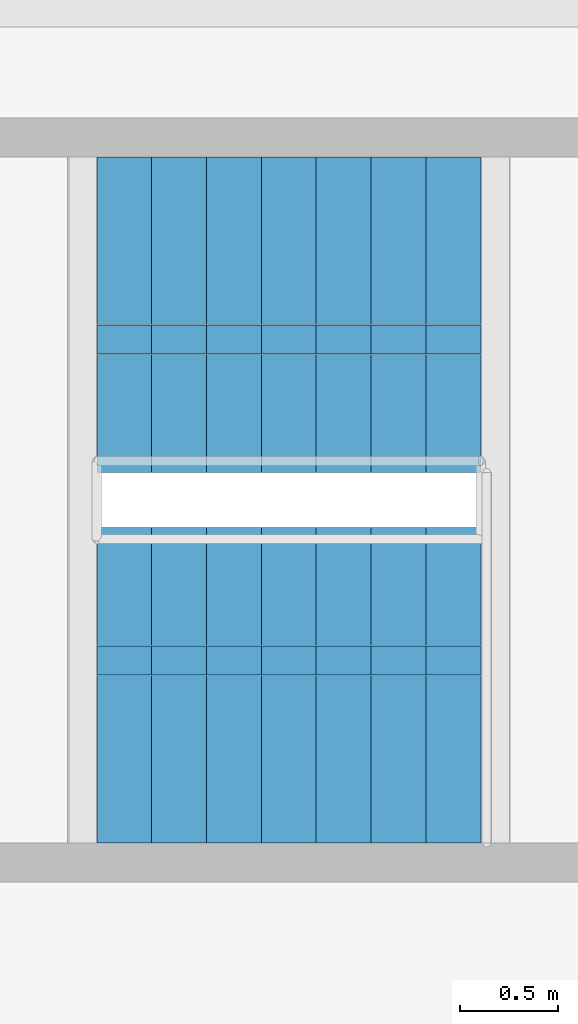
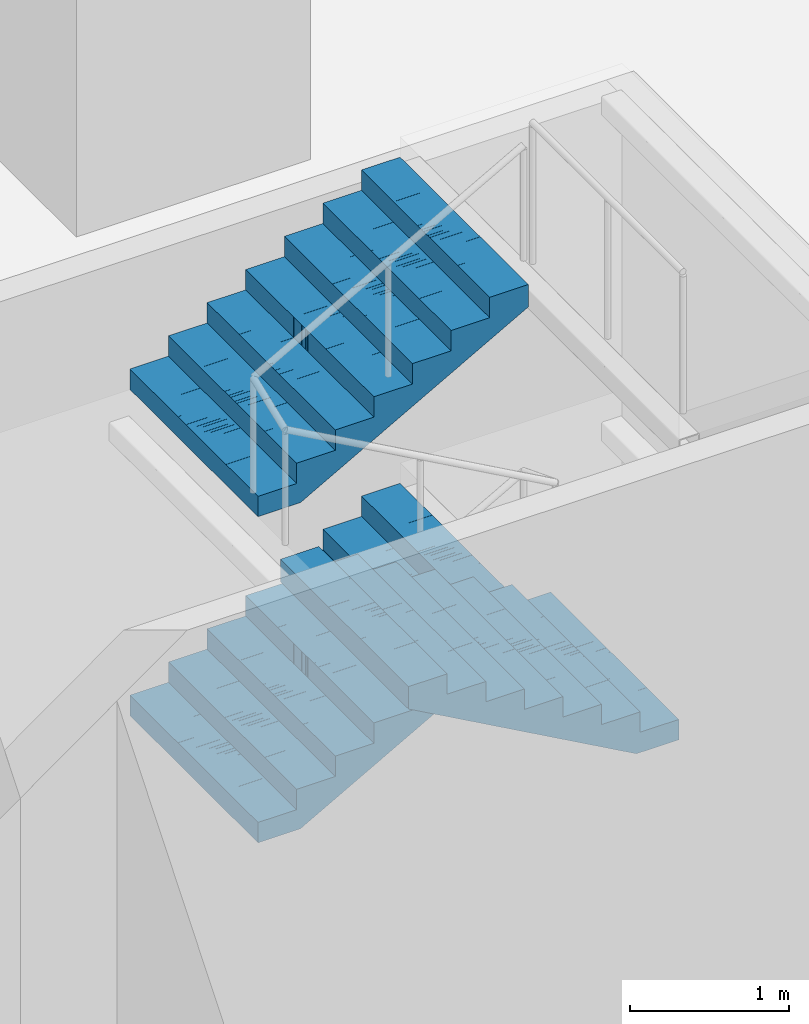
# One storey, part 22 of 23: 3 stair flights, 1 element without a shape of its own.
"""IFC4 building model written with IfcOpenShell, lengths in metres."""

from ifc_helpers import new_model, si_unit, direction, frame, origin, place, context, subcontext, project, spatial, polyline, outline, extrude, material, type_object, element, aggregate, save


model = new_model("IFC4")

# Units and contexts
model_context = context("Model", 3, precision=1e-05, world=origin(), true_north=direction((0.0, 1.0)))
body_context = subcontext(model_context, "Body", "Model", "MODEL_VIEW")
ifc_project = project(units=[si_unit("LENGTHUNIT", "METRE"), si_unit("AREAUNIT", "SQUARE_METRE"), si_unit("VOLUMEUNIT", "CUBIC_METRE"), si_unit("PLANEANGLEUNIT", "RADIAN"), si_unit("MASSUNIT", "GRAM", prefix="KILO")], contexts=[model_context])

# Site, building, storey
site_placement = place(None, origin())
site = spatial("IfcSite", under=ifc_project, at=site_placement, CompositionType="ELEMENT")
building_placement = place(site_placement, origin())
building = spatial("IfcBuilding", under=site, at=building_placement, Name="Mizan Broadcast Tower", CompositionType="ELEMENT")
storey_placement = place(building_placement, frame((0.0, 0.0, 28.0)))
storey = spatial("IfcBuildingStorey", under=building, at=storey_placement, Name="L04", CompositionType="ELEMENT", Elevation=28.0)

# Stair, stair flights
ifc_material_1 = material(Name="Concrete C40/50", Category="concrete")
stair_type = type_object("IfcStairType", Name="EXIT STAIR", PredefinedType="HALF_TURN_STAIR", material=ifc_material_1)
stair_placement = place(storey_placement, origin())
stair = element("IfcStair", 1, at=stair_placement, inside=storey, type_object=stair_type, Name="Stair C L04", PredefinedType="HALF_TURN_STAIR")
ifc_material_2 = material(Name="Concrete C40/50", Category="concrete")
stair_flight_type = type_object("IfcStairFlightType", Name="EXIT STAIR FLIGHT", PredefinedType="STRAIGHT", material=ifc_material_2)
stair_flight_1_placement = place(storey_placement, frame((22.929931640625, 4.094970703125, 1.25), z_axis=(0.0, 0.0, 1.0), x_axis=(1.0, 0.0, 0.0)))
stair_flight_1 = element("IfcStairFlight", 2, at=stair_flight_1_placement, type_object=stair_flight_type, Name="C flight 2", NumberOfRisers=8, NumberOfTreads=7, PredefinedType="STRAIGHT", RiserHeight=0.15625, TreadLength=0.28, context=body_context, shape_type="SweptSolid", body=[
    extrude(outline(polyline([(0.0, 0.0), (0.0, 0.15625), (0.280029296875, 0.15625), (0.280029296875, 0.3125), (0.56005859375, 0.3125), (0.56005859375, 0.46875), (0.840087890625, 0.46875), (0.840087890625, 0.625), (1.1201171875, 0.625), (1.1201171875, 0.78125), (1.39990234375, 0.78125), (1.39990234375, 0.9375), (1.679931640625, 0.9375), (1.679931640625, 1.09375), (1.9599609375, 1.09375), (1.9599609375, 1.25), (1.9599609375, 0.922119140625), (0.3076171875, 0.0), (0.0, 0.0)])), frame((0.0, 0.80517578125, 0.0), z_axis=(0.0, -1.0, 0.0), x_axis=(1.0, 0.0, 0.0)), (0.0, 0.0, 1.0), 0.40234375),
    extrude(outline(polyline([(0.0, 0.0), (0.0, 0.15625), (0.280029296875, 0.15625), (0.280029296875, 0.3125), (0.56005859375, 0.3125), (0.56005859375, 0.46875), (0.840087890625, 0.46875), (0.840087890625, 0.625), (1.1201171875, 0.625), (1.1201171875, 0.78125), (1.39990234375, 0.78125), (1.39990234375, 0.9375), (1.679931640625, 0.9375), (1.679931640625, 1.09375), (1.9599609375, 1.09375), (1.9599609375, 1.25), (1.9599609375, 0.922119140625), (0.3076171875, 0.0), (0.0, 0.0)])), frame((0.0, 0.40234375, 0.0), z_axis=(0.0, -1.0, 0.0), x_axis=(1.0, 0.0, 0.0)), (0.0, 0.0, 1.0), 0.20068359375),
    extrude(outline(polyline([(0.0, 0.0), (0.0, 0.15625), (0.280029296875, 0.15625), (0.280029296875, 0.3125), (0.56005859375, 0.3125), (0.56005859375, 0.46875), (0.840087890625, 0.46875), (0.840087890625, 0.625), (1.1201171875, 0.625), (1.1201171875, 0.78125), (1.39990234375, 0.78125), (1.39990234375, 0.9375), (1.679931640625, 0.9375), (1.679931640625, 1.09375), (1.9599609375, 1.09375), (1.9599609375, 1.25), (1.9599609375, 0.922119140625), (0.3076171875, 0.0), (0.0, 0.0)])), frame((0.0, 0.201171875, 0.0), z_axis=(0.0, -1.0, 0.0), x_axis=(1.0, 0.0, 0.0)), (0.0, 0.0, 1.0), 0.10009765625),
    extrude(outline(polyline([(0.0, 0.0), (0.0, 0.15625), (0.280029296875, 0.15625), (0.280029296875, 0.3125), (0.56005859375, 0.3125), (0.56005859375, 0.46875), (0.840087890625, 0.46875), (0.840087890625, 0.625), (1.1201171875, 0.625), (1.1201171875, 0.78125), (1.39990234375, 0.78125), (1.39990234375, 0.9375), (1.679931640625, 0.9375), (1.679931640625, 1.09375), (1.9599609375, 1.09375), (1.9599609375, 1.25), (1.9599609375, 0.922119140625), (0.3076171875, 0.0), (0.0, 0.0)])), frame((0.0, 0.1005859375, 0.0), z_axis=(0.0, -1.0, 0.0), x_axis=(1.0, 0.0, 0.0)), (0.0, 0.0, 1.0), 0.0498046875),
    extrude(outline(polyline([(0.0, 0.0), (0.0, 0.15625), (0.280029296875, 0.15625), (0.280029296875, 0.3125), (0.56005859375, 0.3125), (0.56005859375, 0.46875), (0.840087890625, 0.46875), (0.840087890625, 0.625), (1.1201171875, 0.625), (1.1201171875, 0.78125), (1.39990234375, 0.78125), (1.39990234375, 0.9375), (1.679931640625, 0.9375), (1.679931640625, 1.09375), (1.9599609375, 1.09375), (1.9599609375, 1.25), (1.9599609375, 0.922119140625), (0.3076171875, 0.0), (0.0, 0.0)])), frame((0.0, 0.05029296875, 0.0), z_axis=(0.0, -1.0, 0.0), x_axis=(1.0, 0.0, 0.0)), (0.0, 0.0, 1.0), 0.024658203125),
    extrude(outline(polyline([(0.0, 0.0), (0.0, 0.15625), (0.280029296875, 0.15625), (0.280029296875, 0.3125), (0.56005859375, 0.3125), (0.56005859375, 0.46875), (0.840087890625, 0.46875), (0.840087890625, 0.625), (1.1201171875, 0.625), (1.1201171875, 0.78125), (1.39990234375, 0.78125), (1.39990234375, 0.9375), (1.679931640625, 0.9375), (1.679931640625, 1.09375), (1.9599609375, 1.09375), (1.9599609375, 1.25), (1.9599609375, 0.922119140625), (0.3076171875, 0.0), (0.0, 0.0)])), frame((0.0, 0.025146484375, 0.0), z_axis=(0.0, -1.0, 0.0), x_axis=(1.0, 0.0, 0.0)), (0.0, 0.0, 1.0), 0.050048828125),
    extrude(outline(polyline([(0.0, 0.0), (0.0, 0.15625), (0.280029296875, 0.15625), (0.280029296875, 0.3125), (0.56005859375, 0.3125), (0.56005859375, 0.46875), (0.840087890625, 0.46875), (0.840087890625, 0.625), (1.1201171875, 0.625), (1.1201171875, 0.78125), (1.39990234375, 0.78125), (1.39990234375, 0.9375), (1.679931640625, 0.9375), (1.679931640625, 1.09375), (1.9599609375, 1.09375), (1.9599609375, 1.25), (1.9599609375, 0.922119140625), (0.3076171875, 0.0), (0.0, 0.0)])), frame((0.0, -0.025390625, 0.0), z_axis=(0.0, -1.0, 0.0), x_axis=(1.0, 0.0, 0.0)), (0.0, 0.0, 1.0), 0.024658203125),
    extrude(outline(polyline([(0.0, 0.0), (0.0, 0.15625), (0.280029296875, 0.15625), (0.280029296875, 0.3125), (0.56005859375, 0.3125), (0.56005859375, 0.46875), (0.840087890625, 0.46875), (0.840087890625, 0.625), (1.1201171875, 0.625), (1.1201171875, 0.78125), (1.39990234375, 0.78125), (1.39990234375, 0.9375), (1.679931640625, 0.9375), (1.679931640625, 1.09375), (1.9599609375, 1.09375), (1.9599609375, 1.25), (1.9599609375, 0.922119140625), (0.3076171875, 0.0), (0.0, 0.0)])), frame((0.0, -0.050537109375, 0.0), z_axis=(0.0, -1.0, 0.0), x_axis=(1.0, 0.0, 0.0)), (0.0, 0.0, 1.0), 0.0498046875),
    extrude(outline(polyline([(0.0, 0.0), (0.0, 0.15625), (0.280029296875, 0.15625), (0.280029296875, 0.3125), (0.56005859375, 0.3125), (0.56005859375, 0.46875), (0.840087890625, 0.46875), (0.840087890625, 0.625), (1.1201171875, 0.625), (1.1201171875, 0.78125), (1.39990234375, 0.78125), (1.39990234375, 0.9375), (1.679931640625, 0.9375), (1.679931640625, 1.09375), (1.9599609375, 1.09375), (1.9599609375, 1.25), (1.9599609375, 0.922119140625), (0.3076171875, 0.0), (0.0, 0.0)])), frame((0.0, -0.100830078125, 0.0), z_axis=(0.0, -1.0, 0.0), x_axis=(1.0, 0.0, 0.0)), (0.0, 0.0, 1.0), 0.10009765625),
    extrude(outline(polyline([(0.0, 0.0), (0.0, 0.15625), (0.280029296875, 0.15625), (0.280029296875, 0.3125), (0.56005859375, 0.3125), (0.56005859375, 0.46875), (0.840087890625, 0.46875), (0.840087890625, 0.625), (1.1201171875, 0.625), (1.1201171875, 0.78125), (1.39990234375, 0.78125), (1.39990234375, 0.9375), (1.679931640625, 0.9375), (1.679931640625, 1.09375), (1.9599609375, 1.09375), (1.9599609375, 1.25), (1.9599609375, 0.922119140625), (0.3076171875, 0.0), (0.0, 0.0)])), frame((0.0, -0.201416015625, 0.0), z_axis=(0.0, -1.0, 0.0), x_axis=(1.0, 0.0, 0.0)), (0.0, 0.0, 1.0), 0.20068359375),
    extrude(outline(polyline([(0.0, 0.0), (0.0, 0.15625), (0.280029296875, 0.15625), (0.280029296875, 0.3125), (0.56005859375, 0.3125), (0.56005859375, 0.46875), (0.840087890625, 0.46875), (0.840087890625, 0.625), (1.1201171875, 0.625), (1.1201171875, 0.78125), (1.39990234375, 0.78125), (1.39990234375, 0.9375), (1.679931640625, 0.9375), (1.679931640625, 1.09375), (1.9599609375, 1.09375), (1.9599609375, 1.25), (1.9599609375, 0.922119140625), (0.3076171875, 0.0), (0.0, 0.0)])), frame((0.0, -0.402587890625, 0.0), z_axis=(0.0, -1.0, 0.0), x_axis=(1.0, 0.0, 0.0)), (0.0, 0.0, 1.0), 0.40234375),
])
stair_flight_2_placement = place(storey_placement, frame((24.889892578125, 2.205078125, 2.5), z_axis=(0.0, 0.0, 1.0), x_axis=(-1.0, 0.0, 0.0)))
stair_flight_2 = element("IfcStairFlight", 3, at=stair_flight_2_placement, type_object=stair_flight_type, Name="C flight 3", NumberOfRisers=8, NumberOfTreads=7, PredefinedType="STRAIGHT", RiserHeight=0.15625, TreadLength=0.28, context=body_context, shape_type="SweptSolid", body=[
    extrude(outline(polyline([(0.0, 0.0), (0.0, 0.15625), (0.280029296875, 0.15625), (0.280029296875, 0.3125), (0.56005859375, 0.3125), (0.56005859375, 0.46875), (0.840087890625, 0.46875), (0.840087890625, 0.625), (1.1201171875, 0.625), (1.1201171875, 0.78125), (1.39990234375, 0.78125), (1.39990234375, 0.9375), (1.679931640625, 0.9375), (1.679931640625, 1.09375), (1.9599609375, 1.09375), (1.9599609375, 1.25), (1.9599609375, 0.922119140625), (0.3076171875, 0.0), (0.0, 0.0)])), frame((0.0, 0.80517578125, 0.0), z_axis=(0.0, -1.0, 0.0), x_axis=(1.0, 0.0, 0.0)), (0.0, 0.0, 1.0), 0.40234375),
    extrude(outline(polyline([(0.0, 0.0), (0.0, 0.15625), (0.280029296875, 0.15625), (0.280029296875, 0.3125), (0.56005859375, 0.3125), (0.56005859375, 0.46875), (0.840087890625, 0.46875), (0.840087890625, 0.625), (1.1201171875, 0.625), (1.1201171875, 0.78125), (1.39990234375, 0.78125), (1.39990234375, 0.9375), (1.679931640625, 0.9375), (1.679931640625, 1.09375), (1.9599609375, 1.09375), (1.9599609375, 1.25), (1.9599609375, 0.922119140625), (0.3076171875, 0.0), (0.0, 0.0)])), frame((0.0, 0.40234375, 0.0), z_axis=(0.0, -1.0, 0.0), x_axis=(1.0, 0.0, 0.0)), (0.0, 0.0, 1.0), 0.20068359375),
    extrude(outline(polyline([(0.0, 0.0), (0.0, 0.15625), (0.280029296875, 0.15625), (0.280029296875, 0.3125), (0.56005859375, 0.3125), (0.56005859375, 0.46875), (0.840087890625, 0.46875), (0.840087890625, 0.625), (1.1201171875, 0.625), (1.1201171875, 0.78125), (1.39990234375, 0.78125), (1.39990234375, 0.9375), (1.679931640625, 0.9375), (1.679931640625, 1.09375), (1.9599609375, 1.09375), (1.9599609375, 1.25), (1.9599609375, 0.922119140625), (0.3076171875, 0.0), (0.0, 0.0)])), frame((0.0, 0.201171875, 0.0), z_axis=(0.0, -1.0, 0.0), x_axis=(1.0, 0.0, 0.0)), (0.0, 0.0, 1.0), 0.10009765625),
    extrude(outline(polyline([(0.0, 0.0), (0.0, 0.15625), (0.280029296875, 0.15625), (0.280029296875, 0.3125), (0.56005859375, 0.3125), (0.56005859375, 0.46875), (0.840087890625, 0.46875), (0.840087890625, 0.625), (1.1201171875, 0.625), (1.1201171875, 0.78125), (1.39990234375, 0.78125), (1.39990234375, 0.9375), (1.679931640625, 0.9375), (1.679931640625, 1.09375), (1.9599609375, 1.09375), (1.9599609375, 1.25), (1.9599609375, 0.922119140625), (0.3076171875, 0.0), (0.0, 0.0)])), frame((0.0, 0.1005859375, 0.0), z_axis=(0.0, -1.0, 0.0), x_axis=(1.0, 0.0, 0.0)), (0.0, 0.0, 1.0), 0.0498046875),
    extrude(outline(polyline([(0.0, 0.0), (0.0, 0.15625), (0.280029296875, 0.15625), (0.280029296875, 0.3125), (0.56005859375, 0.3125), (0.56005859375, 0.46875), (0.840087890625, 0.46875), (0.840087890625, 0.625), (1.1201171875, 0.625), (1.1201171875, 0.78125), (1.39990234375, 0.78125), (1.39990234375, 0.9375), (1.679931640625, 0.9375), (1.679931640625, 1.09375), (1.9599609375, 1.09375), (1.9599609375, 1.25), (1.9599609375, 0.922119140625), (0.3076171875, 0.0), (0.0, 0.0)])), frame((0.0, 0.05029296875, 0.0), z_axis=(0.0, -1.0, 0.0), x_axis=(1.0, 0.0, 0.0)), (0.0, 0.0, 1.0), 0.024658203125),
    extrude(outline(polyline([(0.0, 0.0), (0.0, 0.15625), (0.280029296875, 0.15625), (0.280029296875, 0.3125), (0.56005859375, 0.3125), (0.56005859375, 0.46875), (0.840087890625, 0.46875), (0.840087890625, 0.625), (1.1201171875, 0.625), (1.1201171875, 0.78125), (1.39990234375, 0.78125), (1.39990234375, 0.9375), (1.679931640625, 0.9375), (1.679931640625, 1.09375), (1.9599609375, 1.09375), (1.9599609375, 1.25), (1.9599609375, 0.922119140625), (0.3076171875, 0.0), (0.0, 0.0)])), frame((0.0, 0.025146484375, 0.0), z_axis=(0.0, -1.0, 0.0), x_axis=(1.0, 0.0, 0.0)), (0.0, 0.0, 1.0), 0.050048828125),
    extrude(outline(polyline([(0.0, 0.0), (0.0, 0.15625), (0.280029296875, 0.15625), (0.280029296875, 0.3125), (0.56005859375, 0.3125), (0.56005859375, 0.46875), (0.840087890625, 0.46875), (0.840087890625, 0.625), (1.1201171875, 0.625), (1.1201171875, 0.78125), (1.39990234375, 0.78125), (1.39990234375, 0.9375), (1.679931640625, 0.9375), (1.679931640625, 1.09375), (1.9599609375, 1.09375), (1.9599609375, 1.25), (1.9599609375, 0.922119140625), (0.3076171875, 0.0), (0.0, 0.0)])), frame((0.0, -0.025390625, 0.0), z_axis=(0.0, -1.0, 0.0), x_axis=(1.0, 0.0, 0.0)), (0.0, 0.0, 1.0), 0.024658203125),
    extrude(outline(polyline([(0.0, 0.0), (0.0, 0.15625), (0.280029296875, 0.15625), (0.280029296875, 0.3125), (0.56005859375, 0.3125), (0.56005859375, 0.46875), (0.840087890625, 0.46875), (0.840087890625, 0.625), (1.1201171875, 0.625), (1.1201171875, 0.78125), (1.39990234375, 0.78125), (1.39990234375, 0.9375), (1.679931640625, 0.9375), (1.679931640625, 1.09375), (1.9599609375, 1.09375), (1.9599609375, 1.25), (1.9599609375, 0.922119140625), (0.3076171875, 0.0), (0.0, 0.0)])), frame((0.0, -0.050537109375, 0.0), z_axis=(0.0, -1.0, 0.0), x_axis=(1.0, 0.0, 0.0)), (0.0, 0.0, 1.0), 0.0498046875),
    extrude(outline(polyline([(0.0, 0.0), (0.0, 0.15625), (0.280029296875, 0.15625), (0.280029296875, 0.3125), (0.56005859375, 0.3125), (0.56005859375, 0.46875), (0.840087890625, 0.46875), (0.840087890625, 0.625), (1.1201171875, 0.625), (1.1201171875, 0.78125), (1.39990234375, 0.78125), (1.39990234375, 0.9375), (1.679931640625, 0.9375), (1.679931640625, 1.09375), (1.9599609375, 1.09375), (1.9599609375, 1.25), (1.9599609375, 0.922119140625), (0.3076171875, 0.0), (0.0, 0.0)])), frame((0.0, -0.100830078125, 0.0), z_axis=(0.0, -1.0, 0.0), x_axis=(1.0, 0.0, 0.0)), (0.0, 0.0, 1.0), 0.10009765625),
    extrude(outline(polyline([(0.0, 0.0), (0.0, 0.15625), (0.280029296875, 0.15625), (0.280029296875, 0.3125), (0.56005859375, 0.3125), (0.56005859375, 0.46875), (0.840087890625, 0.46875), (0.840087890625, 0.625), (1.1201171875, 0.625), (1.1201171875, 0.78125), (1.39990234375, 0.78125), (1.39990234375, 0.9375), (1.679931640625, 0.9375), (1.679931640625, 1.09375), (1.9599609375, 1.09375), (1.9599609375, 1.25), (1.9599609375, 0.922119140625), (0.3076171875, 0.0), (0.0, 0.0)])), frame((0.0, -0.201416015625, 0.0), z_axis=(0.0, -1.0, 0.0), x_axis=(1.0, 0.0, 0.0)), (0.0, 0.0, 1.0), 0.20068359375),
    extrude(outline(polyline([(0.0, 0.0), (0.0, 0.15625), (0.280029296875, 0.15625), (0.280029296875, 0.3125), (0.56005859375, 0.3125), (0.56005859375, 0.46875), (0.840087890625, 0.46875), (0.840087890625, 0.625), (1.1201171875, 0.625), (1.1201171875, 0.78125), (1.39990234375, 0.78125), (1.39990234375, 0.9375), (1.679931640625, 0.9375), (1.679931640625, 1.09375), (1.9599609375, 1.09375), (1.9599609375, 1.25), (1.9599609375, 0.922119140625), (0.3076171875, 0.0), (0.0, 0.0)])), frame((0.0, -0.402587890625, 0.0), z_axis=(0.0, -1.0, 0.0), x_axis=(1.0, 0.0, 0.0)), (0.0, 0.0, 1.0), 0.40234375),
])
stair_flight_3_placement = place(storey_placement, frame((22.929931640625, 4.094970703125, 3.75), z_axis=(0.0, 0.0, 1.0), x_axis=(1.0, 0.0, 0.0)))
stair_flight_3 = element("IfcStairFlight", 4, at=stair_flight_3_placement, type_object=stair_flight_type, Name="C flight 4", NumberOfRisers=8, NumberOfTreads=7, PredefinedType="STRAIGHT", RiserHeight=0.15625, TreadLength=0.28, context=body_context, shape_type="SweptSolid", body=[
    extrude(outline(polyline([(0.0, 0.0), (0.0, 0.15625), (0.280029296875, 0.15625), (0.280029296875, 0.3125), (0.56005859375, 0.3125), (0.56005859375, 0.46875), (0.840087890625, 0.46875), (0.840087890625, 0.625), (1.1201171875, 0.625), (1.1201171875, 0.78125), (1.39990234375, 0.78125), (1.39990234375, 0.9375), (1.679931640625, 0.9375), (1.679931640625, 1.09375), (1.9599609375, 1.09375), (1.9599609375, 1.25), (1.9599609375, 0.922119140625), (0.3076171875, 0.0), (0.0, 0.0)])), frame((0.0, 0.80517578125, 0.0), z_axis=(0.0, -1.0, 0.0), x_axis=(1.0, 0.0, 0.0)), (0.0, 0.0, 1.0), 0.40234375),
    extrude(outline(polyline([(0.0, 0.0), (0.0, 0.15625), (0.280029296875, 0.15625), (0.280029296875, 0.3125), (0.56005859375, 0.3125), (0.56005859375, 0.46875), (0.840087890625, 0.46875), (0.840087890625, 0.625), (1.1201171875, 0.625), (1.1201171875, 0.78125), (1.39990234375, 0.78125), (1.39990234375, 0.9375), (1.679931640625, 0.9375), (1.679931640625, 1.09375), (1.9599609375, 1.09375), (1.9599609375, 1.25), (1.9599609375, 0.922119140625), (0.3076171875, 0.0), (0.0, 0.0)])), frame((0.0, 0.40234375, 0.0), z_axis=(0.0, -1.0, 0.0), x_axis=(1.0, 0.0, 0.0)), (0.0, 0.0, 1.0), 0.20068359375),
    extrude(outline(polyline([(0.0, 0.0), (0.0, 0.15625), (0.280029296875, 0.15625), (0.280029296875, 0.3125), (0.56005859375, 0.3125), (0.56005859375, 0.46875), (0.840087890625, 0.46875), (0.840087890625, 0.625), (1.1201171875, 0.625), (1.1201171875, 0.78125), (1.39990234375, 0.78125), (1.39990234375, 0.9375), (1.679931640625, 0.9375), (1.679931640625, 1.09375), (1.9599609375, 1.09375), (1.9599609375, 1.25), (1.9599609375, 0.922119140625), (0.3076171875, 0.0), (0.0, 0.0)])), frame((0.0, 0.201171875, 0.0), z_axis=(0.0, -1.0, 0.0), x_axis=(1.0, 0.0, 0.0)), (0.0, 0.0, 1.0), 0.10009765625),
    extrude(outline(polyline([(0.0, 0.0), (0.0, 0.15625), (0.280029296875, 0.15625), (0.280029296875, 0.3125), (0.56005859375, 0.3125), (0.56005859375, 0.46875), (0.840087890625, 0.46875), (0.840087890625, 0.625), (1.1201171875, 0.625), (1.1201171875, 0.78125), (1.39990234375, 0.78125), (1.39990234375, 0.9375), (1.679931640625, 0.9375), (1.679931640625, 1.09375), (1.9599609375, 1.09375), (1.9599609375, 1.25), (1.9599609375, 0.922119140625), (0.3076171875, 0.0), (0.0, 0.0)])), frame((0.0, 0.1005859375, 0.0), z_axis=(0.0, -1.0, 0.0), x_axis=(1.0, 0.0, 0.0)), (0.0, 0.0, 1.0), 0.0498046875),
    extrude(outline(polyline([(0.0, 0.0), (0.0, 0.15625), (0.280029296875, 0.15625), (0.280029296875, 0.3125), (0.56005859375, 0.3125), (0.56005859375, 0.46875), (0.840087890625, 0.46875), (0.840087890625, 0.625), (1.1201171875, 0.625), (1.1201171875, 0.78125), (1.39990234375, 0.78125), (1.39990234375, 0.9375), (1.679931640625, 0.9375), (1.679931640625, 1.09375), (1.9599609375, 1.09375), (1.9599609375, 1.25), (1.9599609375, 0.922119140625), (0.3076171875, 0.0), (0.0, 0.0)])), frame((0.0, 0.05029296875, 0.0), z_axis=(0.0, -1.0, 0.0), x_axis=(1.0, 0.0, 0.0)), (0.0, 0.0, 1.0), 0.024658203125),
    extrude(outline(polyline([(0.0, 0.0), (0.0, 0.15625), (0.280029296875, 0.15625), (0.280029296875, 0.3125), (0.56005859375, 0.3125), (0.56005859375, 0.46875), (0.840087890625, 0.46875), (0.840087890625, 0.625), (1.1201171875, 0.625), (1.1201171875, 0.78125), (1.39990234375, 0.78125), (1.39990234375, 0.9375), (1.679931640625, 0.9375), (1.679931640625, 1.09375), (1.9599609375, 1.09375), (1.9599609375, 1.25), (1.9599609375, 0.922119140625), (0.3076171875, 0.0), (0.0, 0.0)])), frame((0.0, 0.025146484375, 0.0), z_axis=(0.0, -1.0, 0.0), x_axis=(1.0, 0.0, 0.0)), (0.0, 0.0, 1.0), 0.050048828125),
    extrude(outline(polyline([(0.0, 0.0), (0.0, 0.15625), (0.280029296875, 0.15625), (0.280029296875, 0.3125), (0.56005859375, 0.3125), (0.56005859375, 0.46875), (0.840087890625, 0.46875), (0.840087890625, 0.625), (1.1201171875, 0.625), (1.1201171875, 0.78125), (1.39990234375, 0.78125), (1.39990234375, 0.9375), (1.679931640625, 0.9375), (1.679931640625, 1.09375), (1.9599609375, 1.09375), (1.9599609375, 1.25), (1.9599609375, 0.922119140625), (0.3076171875, 0.0), (0.0, 0.0)])), frame((0.0, -0.025390625, 0.0), z_axis=(0.0, -1.0, 0.0), x_axis=(1.0, 0.0, 0.0)), (0.0, 0.0, 1.0), 0.024658203125),
    extrude(outline(polyline([(0.0, 0.0), (0.0, 0.15625), (0.280029296875, 0.15625), (0.280029296875, 0.3125), (0.56005859375, 0.3125), (0.56005859375, 0.46875), (0.840087890625, 0.46875), (0.840087890625, 0.625), (1.1201171875, 0.625), (1.1201171875, 0.78125), (1.39990234375, 0.78125), (1.39990234375, 0.9375), (1.679931640625, 0.9375), (1.679931640625, 1.09375), (1.9599609375, 1.09375), (1.9599609375, 1.25), (1.9599609375, 0.922119140625), (0.3076171875, 0.0), (0.0, 0.0)])), frame((0.0, -0.050537109375, 0.0), z_axis=(0.0, -1.0, 0.0), x_axis=(1.0, 0.0, 0.0)), (0.0, 0.0, 1.0), 0.0498046875),
    extrude(outline(polyline([(0.0, 0.0), (0.0, 0.15625), (0.280029296875, 0.15625), (0.280029296875, 0.3125), (0.56005859375, 0.3125), (0.56005859375, 0.46875), (0.840087890625, 0.46875), (0.840087890625, 0.625), (1.1201171875, 0.625), (1.1201171875, 0.78125), (1.39990234375, 0.78125), (1.39990234375, 0.9375), (1.679931640625, 0.9375), (1.679931640625, 1.09375), (1.9599609375, 1.09375), (1.9599609375, 1.25), (1.9599609375, 0.922119140625), (0.3076171875, 0.0), (0.0, 0.0)])), frame((0.0, -0.100830078125, 0.0), z_axis=(0.0, -1.0, 0.0), x_axis=(1.0, 0.0, 0.0)), (0.0, 0.0, 1.0), 0.10009765625),
    extrude(outline(polyline([(0.0, 0.0), (0.0, 0.15625), (0.280029296875, 0.15625), (0.280029296875, 0.3125), (0.56005859375, 0.3125), (0.56005859375, 0.46875), (0.840087890625, 0.46875), (0.840087890625, 0.625), (1.1201171875, 0.625), (1.1201171875, 0.78125), (1.39990234375, 0.78125), (1.39990234375, 0.9375), (1.679931640625, 0.9375), (1.679931640625, 1.09375), (1.9599609375, 1.09375), (1.9599609375, 1.25), (1.9599609375, 0.922119140625), (0.3076171875, 0.0), (0.0, 0.0)])), frame((0.0, -0.201416015625, 0.0), z_axis=(0.0, -1.0, 0.0), x_axis=(1.0, 0.0, 0.0)), (0.0, 0.0, 1.0), 0.20068359375),
    extrude(outline(polyline([(0.0, 0.0), (0.0, 0.15625), (0.280029296875, 0.15625), (0.280029296875, 0.3125), (0.56005859375, 0.3125), (0.56005859375, 0.46875), (0.840087890625, 0.46875), (0.840087890625, 0.625), (1.1201171875, 0.625), (1.1201171875, 0.78125), (1.39990234375, 0.78125), (1.39990234375, 0.9375), (1.679931640625, 0.9375), (1.679931640625, 1.09375), (1.9599609375, 1.09375), (1.9599609375, 1.25), (1.9599609375, 0.922119140625), (0.3076171875, 0.0), (0.0, 0.0)])), frame((0.0, -0.402587890625, 0.0), z_axis=(0.0, -1.0, 0.0), x_axis=(1.0, 0.0, 0.0)), (0.0, 0.0, 1.0), 0.40234375),
])
aggregate(stair, [stair_flight_1, stair_flight_2, stair_flight_3])

save(model, "model.ifc")
